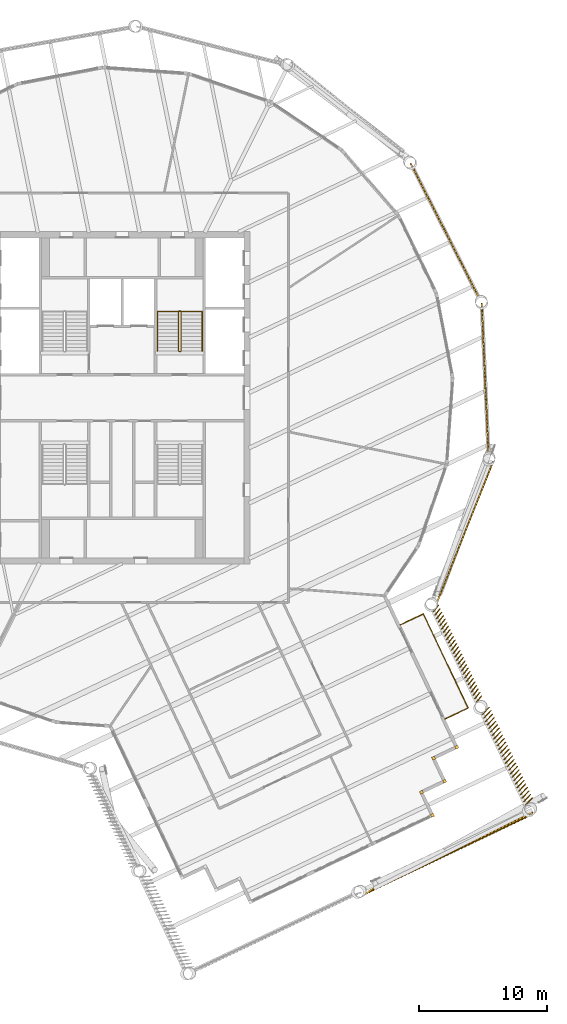
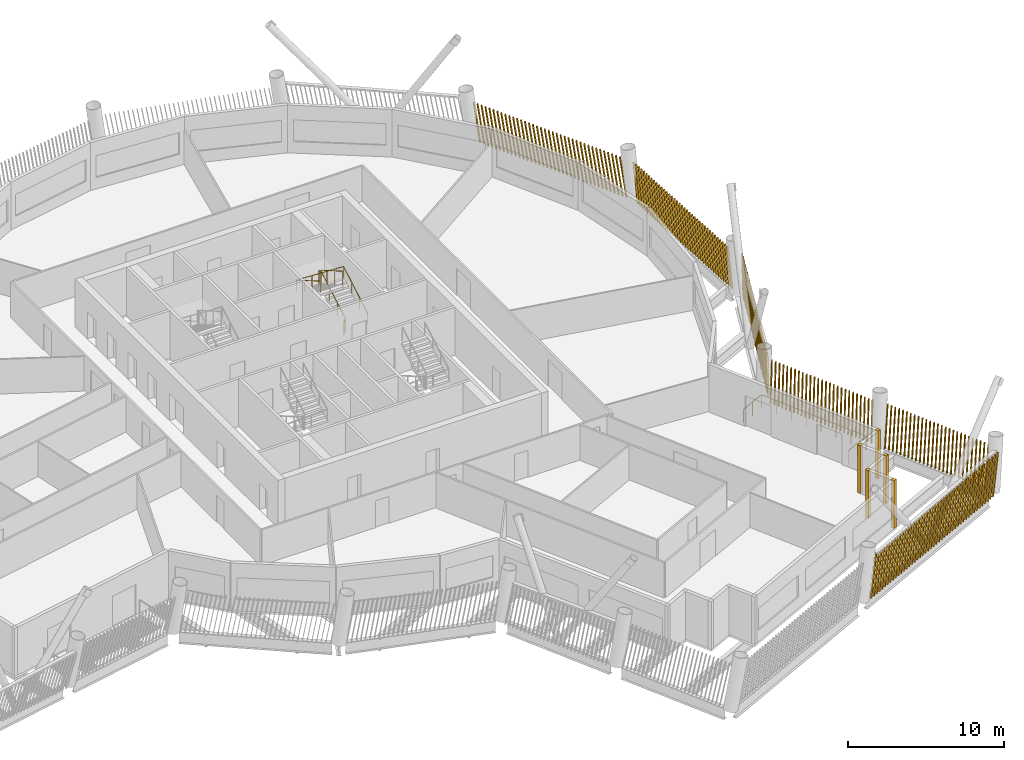
# One storey, part 19 of 21: 11 shading devices, 3 railings.
"""IFC4 building model written with IfcOpenShell, lengths in metres."""

from ifc_helpers import new_model, si_unit, direction, frame, frame_2d, origin, origin_2d, place, context, subcontext, project, spatial, rectangle, circle, composite_profile, extrude, material, type_object, element, save


model = new_model("IFC4")

# Units and contexts
model_context = context("Model", 3, precision=1e-05, world=origin(), true_north=direction((0.0, 1.0)))
body_context = subcontext(model_context, "Body", "Model", "MODEL_VIEW")
ifc_project = project(units=[si_unit("LENGTHUNIT", "METRE"), si_unit("AREAUNIT", "SQUARE_METRE"), si_unit("VOLUMEUNIT", "CUBIC_METRE"), si_unit("PLANEANGLEUNIT", "RADIAN"), si_unit("MASSUNIT", "GRAM", prefix="KILO")], contexts=[model_context])

# Site, building, storey
site_placement = place(None, origin())
site = spatial("IfcSite", under=ifc_project, at=site_placement, CompositionType="ELEMENT")
building_placement = place(site_placement, origin())
building = spatial("IfcBuilding", under=site, at=building_placement, Name="Tarsis Ring Headquarters", CompositionType="ELEMENT")
storey_placement = place(building_placement, frame((0.0, 0.0, 331.39990234375)))
storey = spatial("IfcBuildingStorey", under=building, at=storey_placement, Name="L78", CompositionType="ELEMENT", Elevation=331.39990234375)

# Railings
ifc_material_1 = material(Name="Stainless steel guard", Category="steel")
railing_type_1 = type_object("IfcRailingType", Name="Balcony balustrade with mesh infill 1100", PredefinedType="BALUSTRADE", material=ifc_material_1)
railing_1_placement = place(storey_placement, frame((25.226806640625, -25.096923828125, 0.0)))
element("IfcRailing", 1, at=railing_1_placement, inside=storey, type_object=railing_type_1, Name="Balcony balustrade L78-16", PredefinedType="BALUSTRADE", context=body_context, shape_type="SweptSolid", body=[
    extrude(circle(Radius=0.030029296875, at=origin_2d()), frame((0.0, 0.0, 1.070068359375), z_axis=(0.903043197588, 0.429549744838, 0.0), x_axis=(-0.429549744838, 0.903043197588, 0.0)), (0.0, 0.0, 1.0), 2.0),
    extrude(circle(Radius=0.030029296875, at=origin_2d()), frame((1.80615234375, 0.859130859375, 1.070068359375), z_axis=(-0.42956382929, 0.903036497915, 0.0), x_axis=(-0.903036497915, -0.42956382929, 0.0)), (0.0, 0.0, 1.0), 8.151123046875),
    extrude(circle(Radius=0.030029296875, at=origin_2d()), frame((-1.6953125, 8.219970703125, 1.070068359375), z_axis=(-0.903043197588, -0.429549744838, 0.0), x_axis=(0.429549744838, -0.903043197588, 0.0)), (0.0, 0.0, 1.0), 2.0),
    extrude(circle(Radius=0.02490234375, at=origin_2d()), origin(), (0.0, 0.0, 1.0), 1.0400390625),
    extrude(circle(Radius=0.02490234375, at=origin_2d()), frame((0.903076171875, 0.4296875, 0.0)), (0.0, 0.0, 1.0), 1.0400390625),
    extrude(circle(Radius=0.02490234375, at=origin_2d()), frame((1.80615234375, 0.859130859375, 0.0)), (0.0, 0.0, 1.0), 1.0400390625),
    extrude(circle(Radius=0.02490234375, at=origin_2d()), frame((1.305908203125, 1.91064453125, 0.0)), (0.0, 0.0, 1.0), 1.0400390625),
    extrude(circle(Radius=0.02490234375, at=origin_2d()), frame((0.8056640625, 2.962158203125, 0.0)), (0.0, 0.0, 1.0), 1.0400390625),
    extrude(circle(Radius=0.02490234375, at=origin_2d()), frame((0.305419921875, 4.013671875, 0.0)), (0.0, 0.0, 1.0), 1.0400390625),
    extrude(circle(Radius=0.02490234375, at=origin_2d()), frame((-0.194580078125, 5.0654296875, 0.0)), (0.0, 0.0, 1.0), 1.0400390625),
    extrude(circle(Radius=0.02490234375, at=origin_2d()), frame((-0.69482421875, 6.116943359375, 0.0)), (0.0, 0.0, 1.0), 1.0400390625),
    extrude(circle(Radius=0.02490234375, at=origin_2d()), frame((-1.195068359375, 7.16845703125, 0.0)), (0.0, 0.0, 1.0), 1.0400390625),
    extrude(circle(Radius=0.02490234375, at=origin_2d()), frame((-1.6953125, 8.219970703125, 0.0)), (0.0, 0.0, 1.0), 1.0400390625),
    extrude(circle(Radius=0.02490234375, at=origin_2d()), frame((-2.598388671875, 7.79052734375, 0.0)), (0.0, 0.0, 1.0), 1.0400390625),
    extrude(circle(Radius=0.02490234375, at=origin_2d()), frame((-3.50146484375, 7.36083984375, 0.0)), (0.0, 0.0, 1.0), 1.0400390625),
])
ifc_material_2 = material(Name="Steel S355", Category="steel")
railing_type_2 = type_object("IfcRailingType", Name="Core stair guard 1100", PredefinedType="GUARDRAIL", material=ifc_material_2)
railing_2_placement = place(storey_placement, frame((4.4599609375, 3.610107421875, 0.0)))
element("IfcRailing", 2, at=railing_2_placement, inside=storey, type_object=railing_type_2, Name="L78 ST2 stair guard 1", PredefinedType="GUARDRAIL", context=body_context, shape_type="SweptSolid", body=[
    extrude(circle(Radius=0.02392578125, at=origin_2d()), frame((0.0, 0.0, 1.076171875), z_axis=(1.0, 0.0, 0.0), x_axis=(0.0, 1.0, 0.0)), (0.0, 0.0, 1.0), 0.080078125),
    extrude(circle(Radius=0.02392578125, at=origin_2d()), frame((0.080078125, 0.0, 1.076171875), z_axis=(0.282336740067, 0.280959487676, 0.917250092119), x_axis=(-0.705375805398, 0.708833529934, 0.0)), (0.0, 0.0, 1.0), 0.17724609375),
    extrude(circle(Radius=0.02392578125, at=origin_2d()), frame((0.130126953125, 0.0498046875, 1.23876953125), z_axis=(0.0, 0.864890721111, 0.501960198159), x_axis=(-1.0, 0.0, 0.0)), (0.0, 0.0, 1.0), 3.561279296875),
    extrude(circle(Radius=0.02392578125, at=origin_2d()), frame((0.130126953125, 3.1298828125, 3.0263671875), z_axis=(-0.707106781187, 0.707106781187, 0.0), x_axis=(-0.707106781187, -0.707106781187, 0.0)), (0.0, 0.0, 1.0), 0.07080078125),
    extrude(circle(Radius=0.02392578125, at=origin_2d()), frame((0.080078125, 3.179931640625, 3.0263671875), z_axis=(-1.0, 0.0, 0.0), x_axis=(0.0, -1.0, 0.0)), (0.0, 0.0, 1.0), 0.080078125),
    extrude(circle(Radius=0.02392578125, at=origin_2d()), frame((0.0, 3.179931640625, 3.0263671875), z_axis=(-0.282583949758, -0.282583949758, 0.916674763849), x_axis=(0.707106781187, -0.707106781187, 0.0)), (0.0, 0.0, 1.0), 0.177001953125),
    extrude(circle(Radius=0.02392578125, at=origin_2d()), frame((-0.050048828125, 3.1298828125, 3.1884765625), z_axis=(0.0, -0.864890721111, 0.501960198159), x_axis=(1.0, 0.0, 0.0)), (0.0, 0.0, 1.0), 3.561279296875),
    extrude(circle(Radius=0.02099609375, at=origin_2d()), origin(), (0.0, 0.0, 1.0), 1.052001953125),
    extrude(circle(Radius=0.02099609375, at=origin_2d()), frame((0.080078125, 0.0, 0.0)), (0.0, 0.0, 1.0), 1.052001953125),
    extrude(circle(Radius=0.02099609375, at=origin_2d()), frame((0.130126953125, 0.0498046875, 0.16259765625)), (0.0, 0.0, 1.0), 1.052001953125),
    extrude(circle(Radius=0.02099609375, at=origin_2d()), frame((0.130126953125, 1.076416015625, 0.758544921875)), (0.0, 0.0, 1.0), 1.052001953125),
    extrude(circle(Radius=0.02099609375, at=origin_2d()), frame((0.130126953125, 2.103271484375, 1.354248046875)), (0.0, 0.0, 1.0), 1.052001953125),
    extrude(circle(Radius=0.02099609375, at=origin_2d()), frame((0.130126953125, 3.1298828125, 1.9501953125)), (0.0, 0.0, 1.0), 1.052001953125),
    extrude(circle(Radius=0.02099609375, at=origin_2d()), frame((0.080078125, 3.179931640625, 1.9501953125)), (0.0, 0.0, 1.0), 1.052001953125),
    extrude(circle(Radius=0.02099609375, at=origin_2d()), frame((0.0, 3.179931640625, 1.9501953125)), (0.0, 0.0, 1.0), 1.052001953125),
    extrude(circle(Radius=0.02099609375, at=origin_2d()), frame((-0.050048828125, 3.1298828125, 2.112548828125)), (0.0, 0.0, 1.0), 1.052001953125),
    extrude(circle(Radius=0.02099609375, at=origin_2d()), frame((-0.050048828125, 2.103271484375, 2.70849609375)), (0.0, 0.0, 1.0), 1.052001953125),
    extrude(circle(Radius=0.02099609375, at=origin_2d()), frame((-0.050048828125, 1.076416015625, 3.30419921875)), (0.0, 0.0, 1.0), 1.052001953125),
    extrude(circle(Radius=0.02099609375, at=origin_2d()), frame((-0.050048828125, 0.0498046875, 3.900146484375)), (0.0, 0.0, 1.0), 1.052001953125),
])
railing_type_3 = type_object("IfcRailingType", Name="Core stair handrail 900", PredefinedType="HANDRAIL", material=ifc_material_2)
railing_3_placement = place(storey_placement, frame((6.25, 3.659912109375, 0.16259765625)))
element("IfcRailing", 3, at=railing_3_placement, inside=storey, type_object=railing_type_3, Name="L78 ST2 stair handrail 1", PredefinedType="HANDRAIL", context=body_context, shape_type="SweptSolid", body=[
    extrude(circle(Radius=0.02392578125, at=origin_2d()), frame((0.0, 0.0, 0.8759765625), z_axis=(0.0, 0.864890721111, 0.501960198159), x_axis=(-1.0, 0.0, 0.0)), (0.0, 0.0, 1.0), 3.561279296875),
    extrude(circle(Radius=0.02392578125, at=origin_2d()), frame((0.0, 3.080078125, 2.66357421875), z_axis=(-0.998925869279, 0.0, 0.04633689335), x_axis=(0.0, -1.0, 0.0)), (0.0, 0.0, 1.0), 3.503662109375),
    extrude(circle(Radius=0.02392578125, at=origin_2d()), frame((-3.5, 3.080078125, 2.82568359375), z_axis=(0.0, -0.864890721111, 0.501960198159), x_axis=(1.0, 0.0, 0.0)), (0.0, 0.0, 1.0), 3.561279296875),
    extrude(circle(Radius=0.02099609375, at=origin_2d()), origin(), (0.0, 0.0, 1.0), 0.851806640625),
    extrude(circle(Radius=0.02099609375, at=origin_2d()), frame((0.0, 1.026611328125, 0.595947265625)), (0.0, 0.0, 1.0), 0.851806640625),
    extrude(circle(Radius=0.02099609375, at=origin_2d()), frame((0.0, 2.053466796875, 1.191650390625)), (0.0, 0.0, 1.0), 0.851806640625),
    extrude(circle(Radius=0.02099609375, at=origin_2d()), frame((0.0, 3.080078125, 1.78759765625)), (0.0, 0.0, 1.0), 0.851806640625),
    extrude(circle(Radius=0.02099609375, at=origin_2d()), frame((-1.166748046875, 3.080078125, 1.841796875)), (0.0, 0.0, 1.0), 0.851806640625),
    extrude(circle(Radius=0.02099609375, at=origin_2d()), frame((-2.333251953125, 3.080078125, 1.895751953125)), (0.0, 0.0, 1.0), 0.851806640625),
    extrude(circle(Radius=0.02099609375, at=origin_2d()), frame((-3.5, 3.080078125, 1.949951171875)), (0.0, 0.0, 1.0), 0.851806640625),
    extrude(circle(Radius=0.02099609375, at=origin_2d()), frame((-3.5, 2.053466796875, 2.5458984375)), (0.0, 0.0, 1.0), 0.851806640625),
    extrude(circle(Radius=0.02099609375, at=origin_2d()), frame((-3.5, 1.026611328125, 3.1416015625)), (0.0, 0.0, 1.0), 0.851806640625),
    extrude(circle(Radius=0.02099609375, at=origin_2d()), frame((-3.5, 0.0, 3.737548828125)), (0.0, 0.0, 1.0), 0.851806640625),
])

# Shading devices
ifc_material_3 = material(Name="Terracotta baguette", Category="masonry")
shading_device_type_1 = type_object("IfcShadingDeviceType", Name="Terracotta baguette screen", PredefinedType="USERDEFINED", material=ifc_material_3)
shading_device_1_placement = place(storey_placement, frame((18.998046875, -38.773681640625, 0.0), z_axis=(0.0, 0.0, 1.0), x_axis=(0.903034055728, 0.429562140646, 0.0)))
element("IfcShadingDevice", 4, at=shading_device_1_placement, inside=storey, type_object=shading_device_type_1, Name="Baguette screen L78-04", ObjectType="Terracotta baguette screen", PredefinedType="USERDEFINED", context=body_context, shape_type="SweptSolid", body=[
    extrude(composite_profile([rectangle(XDim=0.06005859375, YDim=0.1201171875, at=frame_2d((0.030029296875, 0.0))), rectangle(XDim=0.06005859375, YDim=0.1201171875, at=frame_2d((0.33544921875, 0.0))), rectangle(XDim=0.06005859375, YDim=0.1201171875, at=frame_2d((0.640625, 0.0))), rectangle(XDim=0.06005859375, YDim=0.1201171875, at=frame_2d((0.946044921875, 0.0))), rectangle(XDim=0.06005859375, YDim=0.1201171875, at=frame_2d((1.25146484375, 0.0))), rectangle(XDim=0.06005859375, YDim=0.1201171875, at=frame_2d((1.556640625, 0.0))), rectangle(XDim=0.06005859375, YDim=0.1201171875, at=frame_2d((1.862060546875, 0.0))), rectangle(XDim=0.06005859375, YDim=0.1201171875, at=frame_2d((2.16748046875, 0.0))), rectangle(XDim=0.06005859375, YDim=0.1201171875, at=frame_2d((2.47265625, 0.0))), rectangle(XDim=0.06005859375, YDim=0.1201171875, at=frame_2d((2.778076171875, 0.0))), rectangle(XDim=0.06005859375, YDim=0.1201171875, at=frame_2d((3.08349609375, 0.0))), rectangle(XDim=0.06005859375, YDim=0.1201171875, at=frame_2d((3.388671875, 0.0))), rectangle(XDim=0.06005859375, YDim=0.1201171875, at=frame_2d((3.694091796875, 0.0))), rectangle(XDim=0.06005859375, YDim=0.1201171875, at=frame_2d((3.99951171875, 0.0))), rectangle(XDim=0.06005859375, YDim=0.1201171875, at=frame_2d((4.3046875, 0.0))), rectangle(XDim=0.06005859375, YDim=0.1201171875, at=frame_2d((4.610107421875, 0.0))), rectangle(XDim=0.06005859375, YDim=0.1201171875, at=frame_2d((4.91552734375, 0.0))), rectangle(XDim=0.06005859375, YDim=0.1201171875, at=frame_2d((5.220703125, 0.0))), rectangle(XDim=0.06005859375, YDim=0.1201171875, at=frame_2d((5.526123046875, 0.0))), rectangle(XDim=0.06005859375, YDim=0.1201171875, at=frame_2d((5.83154296875, 0.0))), rectangle(XDim=0.06005859375, YDim=0.1201171875, at=frame_2d((6.13671875, 0.0))), rectangle(XDim=0.06005859375, YDim=0.1201171875, at=frame_2d((6.442138671875, 0.0))), rectangle(XDim=0.06005859375, YDim=0.1201171875, at=frame_2d((6.74755859375, 0.0))), rectangle(XDim=0.06005859375, YDim=0.1201171875, at=frame_2d((7.052734375, 0.0))), rectangle(XDim=0.06005859375, YDim=0.1201171875, at=frame_2d((7.358154296875, 0.0))), rectangle(XDim=0.06005859375, YDim=0.1201171875, at=frame_2d((7.66357421875, 0.0))), rectangle(XDim=0.06005859375, YDim=0.1201171875, at=frame_2d((7.96875, 0.0))), rectangle(XDim=0.06005859375, YDim=0.1201171875, at=frame_2d((8.274169921875, 0.0))), rectangle(XDim=0.06005859375, YDim=0.1201171875, at=frame_2d((8.57958984375, 0.0))), rectangle(XDim=0.06005859375, YDim=0.1201171875, at=frame_2d((8.884765625, 0.0))), rectangle(XDim=0.06005859375, YDim=0.1201171875, at=frame_2d((9.190185546875, 0.0))), rectangle(XDim=0.06005859375, YDim=0.1201171875, at=frame_2d((9.49560546875, 0.0))), rectangle(XDim=0.06005859375, YDim=0.1201171875, at=frame_2d((9.80078125, 0.0))), rectangle(XDim=0.06005859375, YDim=0.1201171875, at=frame_2d((10.106201171875, 0.0))), rectangle(XDim=0.06005859375, YDim=0.1201171875, at=frame_2d((10.41162109375, 0.0))), rectangle(XDim=0.06005859375, YDim=0.1201171875, at=frame_2d((10.716796875, 0.0))), rectangle(XDim=0.06005859375, YDim=0.1201171875, at=frame_2d((11.022216796875, 0.0))), rectangle(XDim=0.06005859375, YDim=0.1201171875, at=frame_2d((11.32763671875, 0.0))), rectangle(XDim=0.06005859375, YDim=0.1201171875, at=frame_2d((11.6328125, 0.0))), rectangle(XDim=0.06005859375, YDim=0.1201171875, at=frame_2d((11.938232421875, 0.0))), rectangle(XDim=0.06005859375, YDim=0.1201171875, at=frame_2d((12.24365234375, 0.0))), rectangle(XDim=0.06005859375, YDim=0.1201171875, at=frame_2d((12.548828125, 0.0))), rectangle(XDim=0.06005859375, YDim=0.1201171875, at=frame_2d((12.854248046875, 0.0))), rectangle(XDim=0.06005859375, YDim=0.1201171875, at=frame_2d((13.15966796875, 0.0))), rectangle(XDim=0.06005859375, YDim=0.1201171875, at=frame_2d((13.46484375, 0.0))), rectangle(XDim=0.06005859375, YDim=0.1201171875, at=frame_2d((13.770263671875, 0.0)))]), origin(), (0.254639277148, 0.046027198741, 0.965940130396), 3.07275390625),
])
shading_device_2_placement = place(storey_placement, frame((31.53564453125, -31.8408203125, 0.0), z_axis=(0.0, 0.0, 1.0), x_axis=(-0.429560059318, 0.903021502719, 0.0)))
element("IfcShadingDevice", 5, at=shading_device_2_placement, inside=storey, type_object=shading_device_type_1, Name="Baguette screen L78-05", ObjectType="Terracotta baguette screen", PredefinedType="USERDEFINED", context=body_context, shape_type="SweptSolid", body=[
    extrude(composite_profile([rectangle(XDim=0.06005859375, YDim=0.1201171875, at=frame_2d((0.030029296875, 0.0))), rectangle(XDim=0.06005859375, YDim=0.1201171875, at=frame_2d((0.33154296875, 0.0))), rectangle(XDim=0.06005859375, YDim=0.1201171875, at=frame_2d((0.63330078125, 0.0))), rectangle(XDim=0.06005859375, YDim=0.1201171875, at=frame_2d((0.934814453125, 0.0))), rectangle(XDim=0.06005859375, YDim=0.1201171875, at=frame_2d((1.236572265625, 0.0))), rectangle(XDim=0.06005859375, YDim=0.1201171875, at=frame_2d((1.5380859375, 0.0))), rectangle(XDim=0.06005859375, YDim=0.1201171875, at=frame_2d((1.83984375, 0.0))), rectangle(XDim=0.06005859375, YDim=0.1201171875, at=frame_2d((2.141357421875, 0.0))), rectangle(XDim=0.06005859375, YDim=0.1201171875, at=frame_2d((2.443115234375, 0.0))), rectangle(XDim=0.06005859375, YDim=0.1201171875, at=frame_2d((2.74462890625, 0.0))), rectangle(XDim=0.06005859375, YDim=0.1201171875, at=frame_2d((3.04638671875, 0.0))), rectangle(XDim=0.06005859375, YDim=0.1201171875, at=frame_2d((3.347900390625, 0.0))), rectangle(XDim=0.06005859375, YDim=0.1201171875, at=frame_2d((3.649658203125, 0.0))), rectangle(XDim=0.06005859375, YDim=0.1201171875, at=frame_2d((3.951171875, 0.0))), rectangle(XDim=0.06005859375, YDim=0.1201171875, at=frame_2d((4.252685546875, 0.0))), rectangle(XDim=0.06005859375, YDim=0.1201171875, at=frame_2d((4.554443359375, 0.0))), rectangle(XDim=0.06005859375, YDim=0.1201171875, at=frame_2d((4.85595703125, 0.0))), rectangle(XDim=0.06005859375, YDim=0.1201171875, at=frame_2d((5.15771484375, 0.0))), rectangle(XDim=0.06005859375, YDim=0.1201171875, at=frame_2d((5.459228515625, 0.0))), rectangle(XDim=0.06005859375, YDim=0.1201171875, at=frame_2d((5.760986328125, 0.0))), rectangle(XDim=0.06005859375, YDim=0.1201171875, at=frame_2d((6.0625, 0.0))), rectangle(XDim=0.06005859375, YDim=0.1201171875, at=frame_2d((6.3642578125, 0.0))), rectangle(XDim=0.06005859375, YDim=0.1201171875, at=frame_2d((6.665771484375, 0.0))), rectangle(XDim=0.06005859375, YDim=0.1201171875, at=frame_2d((6.967529296875, 0.0))), rectangle(XDim=0.06005859375, YDim=0.1201171875, at=frame_2d((7.26904296875, 0.0))), rectangle(XDim=0.06005859375, YDim=0.1201171875, at=frame_2d((7.57080078125, 0.0))), rectangle(XDim=0.06005859375, YDim=0.1201171875, at=frame_2d((7.872314453125, 0.0)))]), origin(), (0.089838327657, -0.226640070125, 0.96982645535), 3.060302734375),
])
shading_device_3_placement = place(storey_placement, frame((27.71142578125, -23.8017578125, 0.0), z_axis=(0.0, 0.0, 1.0), x_axis=(-0.429560059318, 0.903021502719, 0.0)))
element("IfcShadingDevice", 6, at=shading_device_3_placement, inside=storey, type_object=shading_device_type_1, Name="Baguette screen L78-06", ObjectType="Terracotta baguette screen", PredefinedType="USERDEFINED", context=body_context, shape_type="SweptSolid", body=[
    extrude(composite_profile([rectangle(XDim=0.06005859375, YDim=0.1201171875, at=frame_2d((0.030029296875, 0.0))), rectangle(XDim=0.06005859375, YDim=0.1201171875, at=frame_2d((0.33154296875, 0.0))), rectangle(XDim=0.06005859375, YDim=0.1201171875, at=frame_2d((0.63330078125, 0.0))), rectangle(XDim=0.06005859375, YDim=0.1201171875, at=frame_2d((0.934814453125, 0.0))), rectangle(XDim=0.06005859375, YDim=0.1201171875, at=frame_2d((1.236572265625, 0.0))), rectangle(XDim=0.06005859375, YDim=0.1201171875, at=frame_2d((1.5380859375, 0.0))), rectangle(XDim=0.06005859375, YDim=0.1201171875, at=frame_2d((1.83984375, 0.0))), rectangle(XDim=0.06005859375, YDim=0.1201171875, at=frame_2d((2.141357421875, 0.0))), rectangle(XDim=0.06005859375, YDim=0.1201171875, at=frame_2d((2.443115234375, 0.0))), rectangle(XDim=0.06005859375, YDim=0.1201171875, at=frame_2d((2.74462890625, 0.0))), rectangle(XDim=0.06005859375, YDim=0.1201171875, at=frame_2d((3.04638671875, 0.0))), rectangle(XDim=0.06005859375, YDim=0.1201171875, at=frame_2d((3.347900390625, 0.0))), rectangle(XDim=0.06005859375, YDim=0.1201171875, at=frame_2d((3.649658203125, 0.0))), rectangle(XDim=0.06005859375, YDim=0.1201171875, at=frame_2d((3.951171875, 0.0))), rectangle(XDim=0.06005859375, YDim=0.1201171875, at=frame_2d((4.252685546875, 0.0))), rectangle(XDim=0.06005859375, YDim=0.1201171875, at=frame_2d((4.554443359375, 0.0))), rectangle(XDim=0.06005859375, YDim=0.1201171875, at=frame_2d((4.85595703125, 0.0))), rectangle(XDim=0.06005859375, YDim=0.1201171875, at=frame_2d((5.15771484375, 0.0))), rectangle(XDim=0.06005859375, YDim=0.1201171875, at=frame_2d((5.459228515625, 0.0))), rectangle(XDim=0.06005859375, YDim=0.1201171875, at=frame_2d((5.760986328125, 0.0))), rectangle(XDim=0.06005859375, YDim=0.1201171875, at=frame_2d((6.0625, 0.0))), rectangle(XDim=0.06005859375, YDim=0.1201171875, at=frame_2d((6.3642578125, 0.0))), rectangle(XDim=0.06005859375, YDim=0.1201171875, at=frame_2d((6.665771484375, 0.0))), rectangle(XDim=0.06005859375, YDim=0.1201171875, at=frame_2d((6.967529296875, 0.0))), rectangle(XDim=0.06005859375, YDim=0.1201171875, at=frame_2d((7.26904296875, 0.0))), rectangle(XDim=0.06005859375, YDim=0.1201171875, at=frame_2d((7.57080078125, 0.0))), rectangle(XDim=0.06005859375, YDim=0.1201171875, at=frame_2d((7.872314453125, 0.0)))]), origin(), (0.090323494182, -0.175718779465, 0.98028800714), 3.027587890625),
])
shading_device_4_placement = place(storey_placement, frame((24.6357421875, -15.888916015625, 0.0), z_axis=(0.0, 0.0, 1.0), x_axis=(0.370691900339, 0.928748155222, 0.0)))
element("IfcShadingDevice", 7, at=shading_device_4_placement, inside=storey, type_object=shading_device_type_1, Name="Baguette screen L78-07", ObjectType="Terracotta baguette screen", PredefinedType="USERDEFINED", context=body_context, shape_type="SweptSolid", body=[
    extrude(composite_profile([rectangle(XDim=0.06005859375, YDim=0.1201171875, at=frame_2d((0.030029296875, 0.0))), rectangle(XDim=0.06005859375, YDim=0.1201171875, at=frame_2d((0.33251953125, 0.0))), rectangle(XDim=0.06005859375, YDim=0.1201171875, at=frame_2d((0.634765625, 0.0))), rectangle(XDim=0.06005859375, YDim=0.1201171875, at=frame_2d((0.937255859375, 0.0))), rectangle(XDim=0.06005859375, YDim=0.1201171875, at=frame_2d((1.239501953125, 0.0))), rectangle(XDim=0.06005859375, YDim=0.1201171875, at=frame_2d((1.5419921875, 0.0))), rectangle(XDim=0.06005859375, YDim=0.1201171875, at=frame_2d((1.844482421875, 0.0))), rectangle(XDim=0.06005859375, YDim=0.1201171875, at=frame_2d((2.146728515625, 0.0))), rectangle(XDim=0.06005859375, YDim=0.1201171875, at=frame_2d((2.44921875, 0.0))), rectangle(XDim=0.06005859375, YDim=0.1201171875, at=frame_2d((2.751708984375, 0.0))), rectangle(XDim=0.06005859375, YDim=0.1201171875, at=frame_2d((3.053955078125, 0.0))), rectangle(XDim=0.06005859375, YDim=0.1201171875, at=frame_2d((3.3564453125, 0.0))), rectangle(XDim=0.06005859375, YDim=0.1201171875, at=frame_2d((3.65869140625, 0.0))), rectangle(XDim=0.06005859375, YDim=0.1201171875, at=frame_2d((3.961181640625, 0.0))), rectangle(XDim=0.06005859375, YDim=0.1201171875, at=frame_2d((4.263671875, 0.0))), rectangle(XDim=0.06005859375, YDim=0.1201171875, at=frame_2d((4.56591796875, 0.0))), rectangle(XDim=0.06005859375, YDim=0.1201171875, at=frame_2d((4.868408203125, 0.0))), rectangle(XDim=0.06005859375, YDim=0.1201171875, at=frame_2d((5.1708984375, 0.0))), rectangle(XDim=0.06005859375, YDim=0.1201171875, at=frame_2d((5.47314453125, 0.0))), rectangle(XDim=0.06005859375, YDim=0.1201171875, at=frame_2d((5.775634765625, 0.0))), rectangle(XDim=0.06005859375, YDim=0.1201171875, at=frame_2d((6.077880859375, 0.0))), rectangle(XDim=0.06005859375, YDim=0.1201171875, at=frame_2d((6.38037109375, 0.0))), rectangle(XDim=0.06005859375, YDim=0.1201171875, at=frame_2d((6.682861328125, 0.0))), rectangle(XDim=0.06005859375, YDim=0.1201171875, at=frame_2d((6.985107421875, 0.0))), rectangle(XDim=0.06005859375, YDim=0.1201171875, at=frame_2d((7.28759765625, 0.0))), rectangle(XDim=0.06005859375, YDim=0.1201171875, at=frame_2d((7.590087890625, 0.0))), rectangle(XDim=0.06005859375, YDim=0.1201171875, at=frame_2d((7.892333984375, 0.0))), rectangle(XDim=0.06005859375, YDim=0.1201171875, at=frame_2d((8.19482421875, 0.0))), rectangle(XDim=0.06005859375, YDim=0.1201171875, at=frame_2d((8.4970703125, 0.0))), rectangle(XDim=0.06005859375, YDim=0.1201171875, at=frame_2d((8.799560546875, 0.0))), rectangle(XDim=0.06005859375, YDim=0.1201171875, at=frame_2d((9.10205078125, 0.0))), rectangle(XDim=0.06005859375, YDim=0.1201171875, at=frame_2d((9.404296875, 0.0))), rectangle(XDim=0.06005859375, YDim=0.1201171875, at=frame_2d((9.706787109375, 0.0))), rectangle(XDim=0.06005859375, YDim=0.1201171875, at=frame_2d((10.00927734375, 0.0))), rectangle(XDim=0.06005859375, YDim=0.1201171875, at=frame_2d((10.3115234375, 0.0))), rectangle(XDim=0.06005859375, YDim=0.1201171875, at=frame_2d((10.614013671875, 0.0))), rectangle(XDim=0.06005859375, YDim=0.1201171875, at=frame_2d((10.916259765625, 0.0))), rectangle(XDim=0.06005859375, YDim=0.1201171875, at=frame_2d((11.21875, 0.0)))]), origin(), (0.173278810573, 0.00157170126, 0.984871556885), 3.013671875),
])
shading_device_5_placement = place(storey_placement, frame((28.6201171875, -4.338623046875, 0.0), z_axis=(0.0, 0.0, 1.0), x_axis=(-0.045078676072, 0.998979924037, 0.0)))
element("IfcShadingDevice", 8, at=shading_device_5_placement, inside=storey, type_object=shading_device_type_1, Name="Baguette screen L78-08", ObjectType="Terracotta baguette screen", PredefinedType="USERDEFINED", context=body_context, shape_type="SweptSolid", body=[
    extrude(composite_profile([rectangle(XDim=0.06005859375, YDim=0.1201171875, at=frame_2d((0.030029296875, 0.0))), rectangle(XDim=0.06005859375, YDim=0.1201171875, at=frame_2d((0.33251953125, 0.0))), rectangle(XDim=0.06005859375, YDim=0.1201171875, at=frame_2d((0.634765625, 0.0))), rectangle(XDim=0.06005859375, YDim=0.1201171875, at=frame_2d((0.937255859375, 0.0))), rectangle(XDim=0.06005859375, YDim=0.1201171875, at=frame_2d((1.239501953125, 0.0))), rectangle(XDim=0.06005859375, YDim=0.1201171875, at=frame_2d((1.5419921875, 0.0))), rectangle(XDim=0.06005859375, YDim=0.1201171875, at=frame_2d((1.844482421875, 0.0))), rectangle(XDim=0.06005859375, YDim=0.1201171875, at=frame_2d((2.146728515625, 0.0))), rectangle(XDim=0.06005859375, YDim=0.1201171875, at=frame_2d((2.44921875, 0.0))), rectangle(XDim=0.06005859375, YDim=0.1201171875, at=frame_2d((2.751708984375, 0.0))), rectangle(XDim=0.06005859375, YDim=0.1201171875, at=frame_2d((3.053955078125, 0.0))), rectangle(XDim=0.06005859375, YDim=0.1201171875, at=frame_2d((3.3564453125, 0.0))), rectangle(XDim=0.06005859375, YDim=0.1201171875, at=frame_2d((3.65869140625, 0.0))), rectangle(XDim=0.06005859375, YDim=0.1201171875, at=frame_2d((3.961181640625, 0.0))), rectangle(XDim=0.06005859375, YDim=0.1201171875, at=frame_2d((4.263671875, 0.0))), rectangle(XDim=0.06005859375, YDim=0.1201171875, at=frame_2d((4.56591796875, 0.0))), rectangle(XDim=0.06005859375, YDim=0.1201171875, at=frame_2d((4.868408203125, 0.0))), rectangle(XDim=0.06005859375, YDim=0.1201171875, at=frame_2d((5.1708984375, 0.0))), rectangle(XDim=0.06005859375, YDim=0.1201171875, at=frame_2d((5.47314453125, 0.0))), rectangle(XDim=0.06005859375, YDim=0.1201171875, at=frame_2d((5.775634765625, 0.0))), rectangle(XDim=0.06005859375, YDim=0.1201171875, at=frame_2d((6.077880859375, 0.0))), rectangle(XDim=0.06005859375, YDim=0.1201171875, at=frame_2d((6.38037109375, 0.0))), rectangle(XDim=0.06005859375, YDim=0.1201171875, at=frame_2d((6.682861328125, 0.0))), rectangle(XDim=0.06005859375, YDim=0.1201171875, at=frame_2d((6.985107421875, 0.0))), rectangle(XDim=0.06005859375, YDim=0.1201171875, at=frame_2d((7.28759765625, 0.0))), rectangle(XDim=0.06005859375, YDim=0.1201171875, at=frame_2d((7.590087890625, 0.0))), rectangle(XDim=0.06005859375, YDim=0.1201171875, at=frame_2d((7.892333984375, 0.0))), rectangle(XDim=0.06005859375, YDim=0.1201171875, at=frame_2d((8.19482421875, 0.0))), rectangle(XDim=0.06005859375, YDim=0.1201171875, at=frame_2d((8.4970703125, 0.0))), rectangle(XDim=0.06005859375, YDim=0.1201171875, at=frame_2d((8.799560546875, 0.0))), rectangle(XDim=0.06005859375, YDim=0.1201171875, at=frame_2d((9.10205078125, 0.0))), rectangle(XDim=0.06005859375, YDim=0.1201171875, at=frame_2d((9.404296875, 0.0))), rectangle(XDim=0.06005859375, YDim=0.1201171875, at=frame_2d((9.706787109375, 0.0))), rectangle(XDim=0.06005859375, YDim=0.1201171875, at=frame_2d((10.00927734375, 0.0))), rectangle(XDim=0.06005859375, YDim=0.1201171875, at=frame_2d((10.3115234375, 0.0))), rectangle(XDim=0.06005859375, YDim=0.1201171875, at=frame_2d((10.614013671875, 0.0))), rectangle(XDim=0.06005859375, YDim=0.1201171875, at=frame_2d((10.916259765625, 0.0))), rectangle(XDim=0.06005859375, YDim=0.1201171875, at=frame_2d((11.21875, 0.0)))]), origin(), (0.171087398423, 0.001553053703, 0.985254632126), 3.012451171875),
])
shading_device_6_placement = place(storey_placement, frame((27.8642578125, 7.843994140625, 0.0), z_axis=(0.0, 0.0, 1.0), x_axis=(-0.452838788089, 0.891592152097, 0.0)))
element("IfcShadingDevice", 9, at=shading_device_6_placement, inside=storey, type_object=shading_device_type_1, Name="Baguette screen L78-09", ObjectType="Terracotta baguette screen", PredefinedType="USERDEFINED", context=body_context, shape_type="SweptSolid", body=[
    extrude(composite_profile([rectangle(XDim=0.06005859375, YDim=0.1201171875, at=frame_2d((0.030029296875, 0.0))), rectangle(XDim=0.06005859375, YDim=0.1201171875, at=frame_2d((0.33251953125, 0.0))), rectangle(XDim=0.06005859375, YDim=0.1201171875, at=frame_2d((0.634765625, 0.0))), rectangle(XDim=0.06005859375, YDim=0.1201171875, at=frame_2d((0.937255859375, 0.0))), rectangle(XDim=0.06005859375, YDim=0.1201171875, at=frame_2d((1.239501953125, 0.0))), rectangle(XDim=0.06005859375, YDim=0.1201171875, at=frame_2d((1.5419921875, 0.0))), rectangle(XDim=0.06005859375, YDim=0.1201171875, at=frame_2d((1.844482421875, 0.0))), rectangle(XDim=0.06005859375, YDim=0.1201171875, at=frame_2d((2.146728515625, 0.0))), rectangle(XDim=0.06005859375, YDim=0.1201171875, at=frame_2d((2.44921875, 0.0))), rectangle(XDim=0.06005859375, YDim=0.1201171875, at=frame_2d((2.751708984375, 0.0))), rectangle(XDim=0.06005859375, YDim=0.1201171875, at=frame_2d((3.053955078125, 0.0))), rectangle(XDim=0.06005859375, YDim=0.1201171875, at=frame_2d((3.3564453125, 0.0))), rectangle(XDim=0.06005859375, YDim=0.1201171875, at=frame_2d((3.65869140625, 0.0))), rectangle(XDim=0.06005859375, YDim=0.1201171875, at=frame_2d((3.961181640625, 0.0))), rectangle(XDim=0.06005859375, YDim=0.1201171875, at=frame_2d((4.263671875, 0.0))), rectangle(XDim=0.06005859375, YDim=0.1201171875, at=frame_2d((4.56591796875, 0.0))), rectangle(XDim=0.06005859375, YDim=0.1201171875, at=frame_2d((4.868408203125, 0.0))), rectangle(XDim=0.06005859375, YDim=0.1201171875, at=frame_2d((5.1708984375, 0.0))), rectangle(XDim=0.06005859375, YDim=0.1201171875, at=frame_2d((5.47314453125, 0.0))), rectangle(XDim=0.06005859375, YDim=0.1201171875, at=frame_2d((5.775634765625, 0.0))), rectangle(XDim=0.06005859375, YDim=0.1201171875, at=frame_2d((6.077880859375, 0.0))), rectangle(XDim=0.06005859375, YDim=0.1201171875, at=frame_2d((6.38037109375, 0.0))), rectangle(XDim=0.06005859375, YDim=0.1201171875, at=frame_2d((6.682861328125, 0.0))), rectangle(XDim=0.06005859375, YDim=0.1201171875, at=frame_2d((6.985107421875, 0.0))), rectangle(XDim=0.06005859375, YDim=0.1201171875, at=frame_2d((7.28759765625, 0.0))), rectangle(XDim=0.06005859375, YDim=0.1201171875, at=frame_2d((7.590087890625, 0.0))), rectangle(XDim=0.06005859375, YDim=0.1201171875, at=frame_2d((7.892333984375, 0.0))), rectangle(XDim=0.06005859375, YDim=0.1201171875, at=frame_2d((8.19482421875, 0.0))), rectangle(XDim=0.06005859375, YDim=0.1201171875, at=frame_2d((8.4970703125, 0.0))), rectangle(XDim=0.06005859375, YDim=0.1201171875, at=frame_2d((8.799560546875, 0.0))), rectangle(XDim=0.06005859375, YDim=0.1201171875, at=frame_2d((9.10205078125, 0.0))), rectangle(XDim=0.06005859375, YDim=0.1201171875, at=frame_2d((9.404296875, 0.0))), rectangle(XDim=0.06005859375, YDim=0.1201171875, at=frame_2d((9.706787109375, 0.0))), rectangle(XDim=0.06005859375, YDim=0.1201171875, at=frame_2d((10.00927734375, 0.0))), rectangle(XDim=0.06005859375, YDim=0.1201171875, at=frame_2d((10.3115234375, 0.0))), rectangle(XDim=0.06005859375, YDim=0.1201171875, at=frame_2d((10.614013671875, 0.0))), rectangle(XDim=0.06005859375, YDim=0.1201171875, at=frame_2d((10.916259765625, 0.0))), rectangle(XDim=0.06005859375, YDim=0.1201171875, at=frame_2d((11.21875, 0.0)))]), origin(), (0.171087887185, 0.001553543741, 0.98525454648), 3.012451171875),
])
shading_device_type_2 = type_object("IfcShadingDeviceType", Name="Terracotta corner baguette 250x250", PredefinedType="USERDEFINED", material=ifc_material_3)
for number, where, z_axis, x_axis, name in (
    (10, (24.240234375, -32.625732421875, 0.0), (0.0, 0.0, 1.0), (0.903035619536, 0.429565675827, 0.0), "Corner baguette L78-12"),
    (11, (23.381103515625, -30.819580078125, 0.0), (0.0, 0.0, 1.0), (-0.429565991046, 0.903035469589, 0.0), "Corner baguette L78-13"),
    (12, (25.187255859375, -29.96044921875, 0.0), (0.0, 0.0, 1.0), (0.90303566452, 0.429565581262, 0.0), "Corner baguette L78-14"),
    (13, (24.328125, -28.154541015625, 0.0), (0.0, 0.0, 1.0), (-0.429565581262, 0.90303566452, 0.0), "Corner baguette L78-15"),
    (14, (26.13427734375, -27.29541015625, 0.0), (0.0, 0.0, 1.0), (0.903035567055, 0.429565786154, 0.0), "Corner baguette L78-16"),
):
    element("IfcShadingDevice", number, at=place(storey_placement, frame(where, z_axis=z_axis, x_axis=x_axis)), inside=storey, type_object=shading_device_type_2, Name=name, ObjectType="Terracotta corner baguette", PredefinedType="USERDEFINED", context=body_context, shape_type="SweptSolid", body=[
        extrude(rectangle(XDim=0.25, YDim=0.25, at=origin_2d()), origin(), (0.0, 0.0, 1.0), 3.739990234375),
    ])

save(model, "model.ifc")
